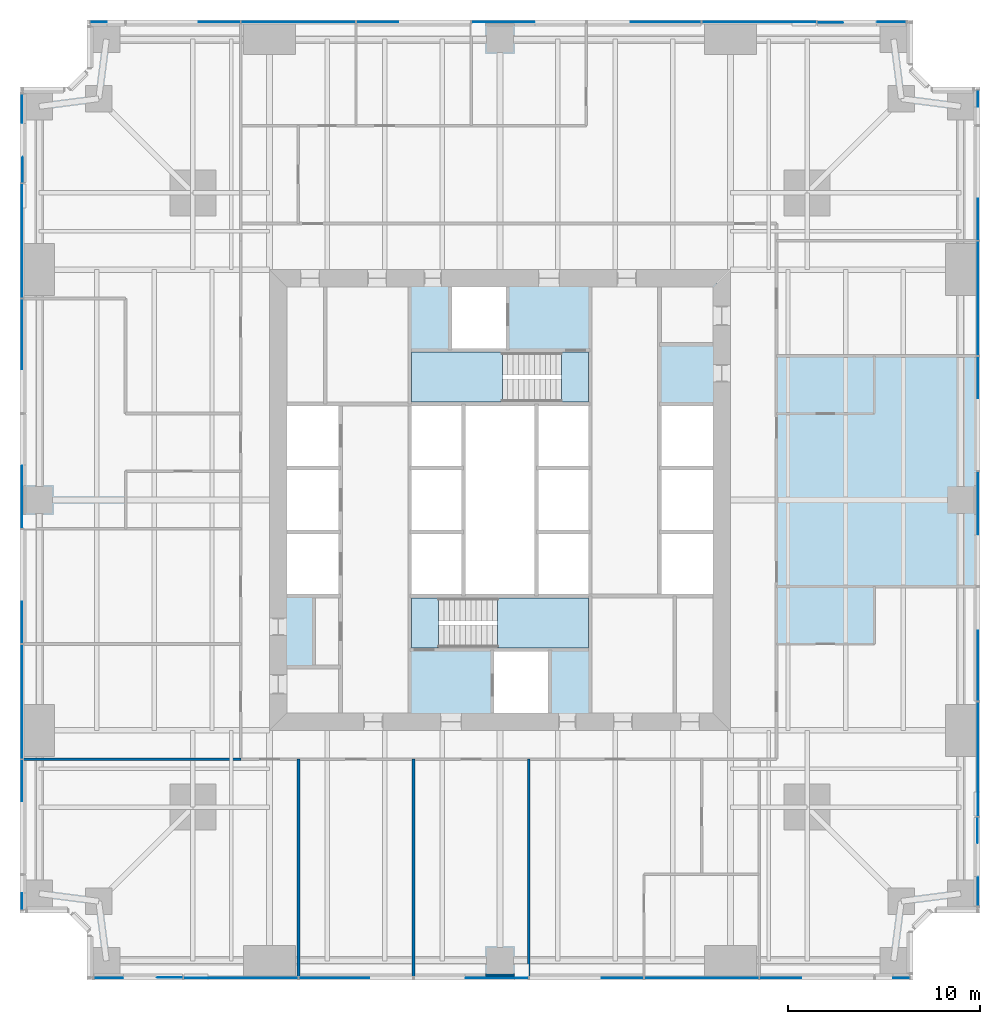
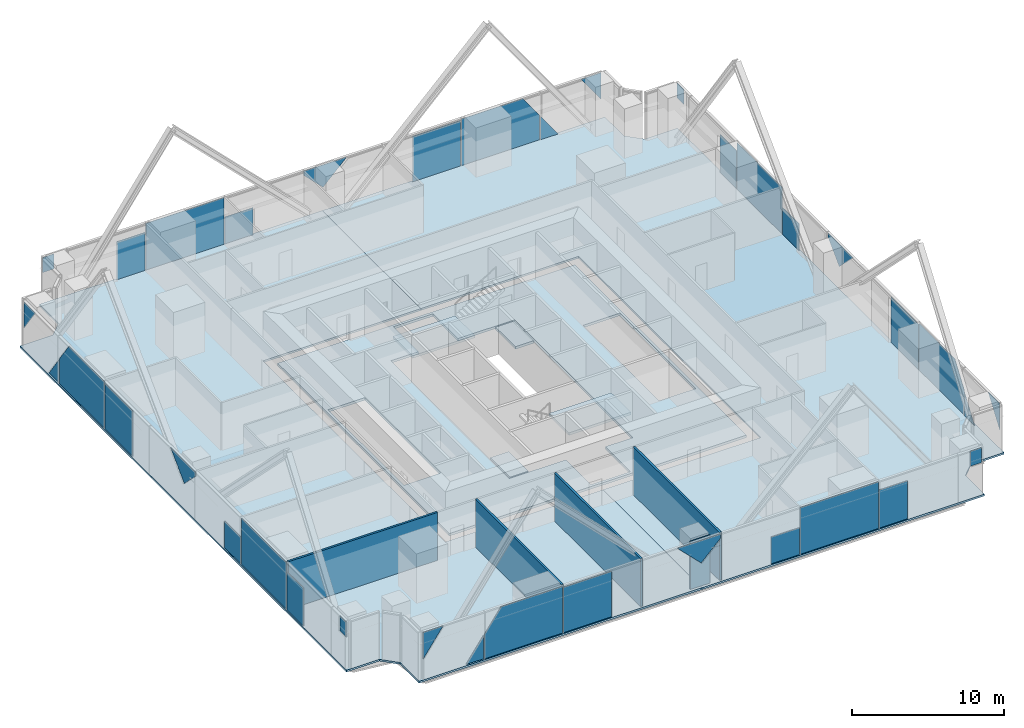
# One storey, part 8 of 13: 36 plates, 7 slabs, 5 walls, 6 elements without a shape of their own.
"""IFC4 building model written with IfcOpenShell, lengths in metres."""

from ifc_helpers import new_model, si_unit, direction, frame, frame_2d, origin, origin_2d, place, context, subcontext, project, spatial, polyline, rectangle, outline, extrude, material, layer, layer_set, type_object, element, aggregate, save


model = new_model("IFC4")

# Units and contexts
model_context = context("Model", 3, precision=1e-05, world=origin(), true_north=direction((0.0, 1.0)))
body_context = subcontext(model_context, "Body", "Model", "MODEL_VIEW")
ifc_project = project(units=[si_unit("LENGTHUNIT", "METRE"), si_unit("AREAUNIT", "SQUARE_METRE"), si_unit("VOLUMEUNIT", "CUBIC_METRE"), si_unit("PLANEANGLEUNIT", "RADIAN"), si_unit("MASSUNIT", "GRAM", prefix="KILO")], contexts=[model_context])

# Site, building, storey
site_placement = place(None, origin())
site = spatial("IfcSite", under=ifc_project, at=site_placement, CompositionType="ELEMENT")
building_placement = place(site_placement, origin())
building = spatial("IfcBuilding", under=site, at=building_placement, Name="Fenwick Lantern Interchange", CompositionType="ELEMENT")
storey_placement = place(building_placement, frame((0.0, 0.0, 67.0)))
storey = spatial("IfcBuildingStorey", under=building, at=storey_placement, Name="L15", CompositionType="ELEMENT", Elevation=67.0)

# Slabs
ifc_material_1 = material(Name="Concrete f'c 35 MPa", Category="concrete")
ifc_layer_1 = layer(ifc_material_1, 0.199951171875)
ifc_layer_set_1 = layer_set([ifc_layer_1], Name="CORE FLOOR SLAB 200")
slab_type_1 = type_object("IfcSlabType", Name="CORE FLOOR SLAB 200", PredefinedType="FLOOR", material=ifc_layer_set_1)
slab_1_placement = place(storey_placement, frame((0.0, 0.0, -0.199951171875)))
element("IfcSlab", 1, at=slab_1_placement, inside=storey, type_object=slab_type_1, Name="L15/SLAB/CORE", PredefinedType="FLOOR", context=body_context, shape_type="SweptSolid", body=[
    extrude(outline(polyline([(13.699951171875, 36.300048828125), (36.300048828125, 36.300048828125), (36.300048828125, 13.699951171875), (13.699951171875, 13.699951171875), (13.699951171875, 36.300048828125)]), holes=[polyline([(13.89990234375, 20.0), (16.699951171875, 20.0), (16.699951171875, 23.333251953125), (16.699951171875, 26.666748046875), (16.699951171875, 30.0), (13.89990234375, 30.0), (13.89990234375, 26.666748046875), (13.89990234375, 23.333251953125), (13.89990234375, 20.0)]), polyline([(20.300048828125, 20.0), (20.300048828125, 17.199951171875), (24.60009765625, 17.199951171875), (24.60009765625, 13.89990234375), (27.60009765625, 13.89990234375), (27.60009765625, 17.199951171875), (29.699951171875, 17.199951171875), (29.699951171875, 20.0), (29.699951171875, 23.333251953125), (29.699951171875, 26.666748046875), (29.699951171875, 30.0), (29.699951171875, 32.800048828125), (25.39990234375, 32.800048828125), (25.39990234375, 36.10009765625), (22.39990234375, 36.10009765625), (22.39990234375, 32.800048828125), (20.300048828125, 32.800048828125), (20.300048828125, 30.0), (20.300048828125, 26.666748046875), (20.300048828125, 23.333251953125), (20.300048828125, 20.0)]), polyline([(33.300048828125, 23.333251953125), (33.300048828125, 20.0), (36.10009765625, 20.0), (36.10009765625, 23.333251953125), (36.10009765625, 26.666748046875), (36.10009765625, 30.0), (33.300048828125, 30.0), (33.300048828125, 26.666748046875), (33.300048828125, 23.333251953125)])]), origin(), (0.0, 0.0, 1.0), 0.199951171875),
])
ifc_material_2 = material(Name="Concrete f'c 35 MPa", Category="concrete")
ifc_layer_2 = layer(ifc_material_2, 0.14990234375)
ifc_layer_set_2 = layer_set([ifc_layer_2], Name="Concrete f'c 35 MPa")
slab_type_2 = type_object("IfcSlabType", Name="FLOOR SLAB 150", PredefinedType="FLOOR", material=ifc_layer_set_2)
slab_2_placement = place(storey_placement, frame((0.0, 0.0, -0.14990234375)))
element("IfcSlab", 2, at=slab_2_placement, inside=storey, type_object=slab_type_2, Name="L15/SLAB/FW", PredefinedType="FLOOR", context=body_context, shape_type="SweptSolid", body=[
    extrude(outline(polyline([(3.5, 0.0), (3.5, 2.5), (2.5, 3.5), (0.0, 3.5), (0.0, 46.5), (2.5, 46.5), (3.5, 47.5), (3.5, 50.0), (25.0, 50.0), (25.0, 37.0), (13.0, 37.0), (13.0, 13.0), (25.0, 13.0), (25.0, 0.0), (3.5, 0.0)])), origin(), (0.0, 0.0, 1.0), 0.14990234375),
])
slab_3_placement = place(storey_placement, frame((0.0, 0.0, -0.14990234375)))
element("IfcSlab", 3, at=slab_3_placement, inside=storey, type_object=slab_type_2, Name="L15/SLAB/FE", PredefinedType="FLOOR", context=body_context, shape_type="SweptSolid", body=[
    extrude(outline(polyline([(46.5, 50.0), (46.5, 47.5), (47.5, 46.5), (50.0, 46.5), (50.0, 3.5), (47.5, 3.5), (46.5, 2.5), (46.5, 0.0), (25.0, 0.0), (25.0, 13.0), (37.0, 13.0), (37.0, 37.0), (25.0, 37.0), (25.0, 50.0), (46.5, 50.0)])), origin(), (0.0, 0.0, 1.0), 0.14990234375),
])

# Curtain wall, plates
ifc_material_3 = material(Name="Aluminium curtain wall frame", Category="aluminium")
curtain_wall_type = type_object("IfcCurtainWallType", Name="OFFICE CURTAIN WALL", PredefinedType="USERDEFINED", material=ifc_material_3)
curtain_wall_1_placement = place(storey_placement, origin())
curtain_wall_1 = element("IfcCurtainWall", 4, at=curtain_wall_1_placement, inside=storey, type_object=curtain_wall_type, Name="Office curtain wall 01", ObjectType="OFFICE CURTAIN WALL", PredefinedType="USERDEFINED")
ifc_material_4 = material(Name="Vision glass, clear low-iron double glazed", Category="glass")
ifc_layer_3 = layer(ifc_material_4, 0.031982421875)
ifc_layer_set_3 = layer_set([ifc_layer_3], Name="OFFICE CURTAIN WALL PANEL 32")
plate_type = type_object("IfcPlateType", Name="OFFICE CURTAIN WALL PANEL 32", PredefinedType="CURTAIN_PANEL", material=ifc_layer_set_3)
plate_1_placement = place(storey_placement, frame((3.60009765625, 0.10009765625, 1.611572265625), z_axis=(0.0, 0.0, 1.0), x_axis=(1.0, 0.0, 0.0)))
plate_1 = element("IfcPlate", 5, at=plate_1_placement, type_object=plate_type, Name="L15/CW/01/P00a", PredefinedType="CURTAIN_PANEL", context=body_context, shape_type="SweptSolid", body=[
    extrude(outline(polyline([(0.264892578125, 0.0), (1.77978515625, 2.138427734375), (0.264892578125, 2.138427734375), (0.264892578125, 0.0)])), frame((0.0, 0.01611328125, 0.0), z_axis=(0.0, -1.0, 0.0), x_axis=(1.0, 0.0, 0.0)), (0.0, 0.0, 1.0), 0.031982421875),
])
plate_2_placement = place(storey_placement, frame((3.60009765625, 0.10009765625, 0.0), z_axis=(0.0, 0.0, 1.0), x_axis=(1.0, 0.0, 0.0)))
plate_2 = element("IfcPlate", 6, at=plate_2_placement, type_object=plate_type, Name="L15/CW/01/P00b", PredefinedType="CURTAIN_PANEL", context=body_context, shape_type="SweptSolid", body=[
    extrude(outline(polyline([(3.53515625, 0.0), (4.867431640625, 0.0), (4.867431640625, 1.881103515625), (3.53515625, 0.0)])), frame((0.0, 0.0498046875, 0.0), z_axis=(0.0, -1.0, 0.0), x_axis=(1.0, 0.0, 0.0)), (0.0, 0.0, 1.0), 0.031982421875),
])
plate_3_placement = place(storey_placement, frame((3.60009765625, 0.10009765625, 0.0), z_axis=(0.0, 0.0, 1.0), x_axis=(1.0, 0.0, 0.0)))
plate_3 = element("IfcPlate", 7, at=plate_3_placement, type_object=plate_type, Name="L15/CW/01/P01a", PredefinedType="CURTAIN_PANEL", context=body_context, shape_type="SweptSolid", body=[
    extrude(outline(polyline([(4.9326171875, 0.0), (10.867431640625, 0.0), (10.867431640625, 3.75), (6.19140625, 3.75), (4.9326171875, 1.972900390625), (4.9326171875, 0.0)])), frame((0.0, 0.01611328125, 0.0), z_axis=(0.0, -1.0, 0.0), x_axis=(1.0, 0.0, 0.0)), (0.0, 0.0, 1.0), 0.031982421875),
])
plate_4_placement = place(storey_placement, frame((3.60009765625, 0.10009765625, 0.0), z_axis=(0.0, 0.0, 1.0), x_axis=(1.0, 0.0, 0.0)))
plate_4 = element("IfcPlate", 8, at=plate_4_placement, type_object=plate_type, Name="L15/CW/01/P02a", PredefinedType="CURTAIN_PANEL", context=body_context, shape_type="SweptSolid", body=[
    extrude(outline(polyline([(10.9326171875, 0.0), (14.592529296875, 0.0), (14.592529296875, 3.656005859375), (10.9326171875, 3.656005859375), (10.9326171875, 0.0)])), frame((0.0, 0.01611328125, 0.0), z_axis=(0.0, -1.0, 0.0), x_axis=(1.0, 0.0, 0.0)), (0.0, 0.0, 1.0), 0.031982421875),
])
plate_5_placement = place(storey_placement, frame((3.60009765625, 0.10009765625, 1.939697265625), z_axis=(0.0, 0.0, 1.0), x_axis=(1.0, 0.0, 0.0)))
plate_5 = element("IfcPlate", 9, at=plate_5_placement, type_object=plate_type, Name="L15/CW/01/P03a", PredefinedType="CURTAIN_PANEL", context=body_context, shape_type="SweptSolid", body=[
    extrude(outline(polyline([(21.39990234375, 0.0), (22.867431640625, 1.46728515625), (22.867431640625, 1.810302734375), (19.589599609375, 1.810302734375), (21.39990234375, 0.0)])), frame((0.0, 0.01611328125, 0.0), z_axis=(0.0, -1.0, 0.0), x_axis=(1.0, 0.0, 0.0)), (0.0, 0.0, 1.0), 0.031982421875),
])
plate_6_placement = place(storey_placement, frame((3.60009765625, 0.10009765625, 0.0), z_axis=(0.0, 0.0, 1.0), x_axis=(1.0, 0.0, 0.0)))
plate_6 = element("IfcPlate", 10, at=plate_6_placement, type_object=plate_type, Name="L15/CW/01/P04a", PredefinedType="CURTAIN_PANEL", context=body_context, shape_type="SweptSolid", body=[
    extrude(outline(polyline([(26.711669921875, 0.0), (28.867431640625, 0.0), (28.867431640625, 2.159912109375), (26.711669921875, 2.159912109375), (26.711669921875, 0.0)])), frame((0.0, 0.01611328125, 0.0), z_axis=(0.0, -1.0, 0.0), x_axis=(1.0, 0.0, 0.0)), (0.0, 0.0, 1.0), 0.031982421875),
])
plate_7_placement = place(storey_placement, frame((35.5, 0.10009765625, 0.0), z_axis=(0.0, 0.0, 1.0), x_axis=(1.0, 0.0, 0.0)))
plate_7 = element("IfcPlate", 11, at=plate_7_placement, type_object=plate_type, Name="L15/CW/01/P05", PredefinedType="CURTAIN_PANEL", context=body_context, shape_type="SweptSolid", body=[
    extrude(rectangle(XDim=5.93505859375, YDim=0.031982421875, at=origin_2d()), origin(), (0.0, 0.0, 1.0), 3.75),
])
plate_8_placement = place(storey_placement, frame((3.60009765625, 0.10009765625, 0.0), z_axis=(0.0, 0.0, 1.0), x_axis=(1.0, 0.0, 0.0)))
plate_8 = element("IfcPlate", 12, at=plate_8_placement, type_object=plate_type, Name="L15/CW/01/P06a", PredefinedType="CURTAIN_PANEL", context=body_context, shape_type="SweptSolid", body=[
    extrude(outline(polyline([(34.9326171875, 0.0), (37.097412109375, 0.0), (37.097412109375, 3.059814453125), (34.9326171875, 3.059814453125), (34.9326171875, 0.0)])), frame((0.0, 0.01611328125, 0.0), z_axis=(0.0, -1.0, 0.0), x_axis=(1.0, 0.0, 0.0)), (0.0, 0.0, 1.0), 0.031982421875),
])
plate_9_placement = place(storey_placement, frame((3.60009765625, 0.10009765625, 2.54296875), z_axis=(0.0, 0.0, 1.0), x_axis=(1.0, 0.0, 0.0)))
plate_9 = element("IfcPlate", 13, at=plate_9_placement, type_object=plate_type, Name="L15/CW/01/P07a", PredefinedType="CURTAIN_PANEL", context=body_context, shape_type="SweptSolid", body=[
    extrude(outline(polyline([(41.875244140625, 0.0), (42.735107421875, 0.0), (42.735107421875, 1.20703125), (41.875244140625, 1.20703125), (41.875244140625, 0.0)])), frame((0.0, 0.01611328125, 0.0), z_axis=(0.0, -1.0, 0.0), x_axis=(1.0, 0.0, 0.0)), (0.0, 0.0, 1.0), 0.031982421875),
])
aggregate(curtain_wall_1, [plate_1, plate_2, plate_3, plate_4, plate_5, plate_6, plate_7, plate_8, plate_9])

curtain_wall_2_placement = place(storey_placement, origin())
curtain_wall_2 = element("IfcCurtainWall", 14, at=curtain_wall_2_placement, inside=storey, type_object=curtain_wall_type, Name="Office curtain wall 05", ObjectType="OFFICE CURTAIN WALL", PredefinedType="USERDEFINED")
plate_10_placement = place(storey_placement, frame((49.89990234375, 3.60009765625, 1.611572265625), z_axis=(0.0, 0.0, 1.0), x_axis=(0.0, 1.0, 0.0)))
plate_10 = element("IfcPlate", 15, at=plate_10_placement, type_object=plate_type, Name="L15/CW/05/P00a", PredefinedType="CURTAIN_PANEL", context=body_context, shape_type="SweptSolid", body=[
    extrude(outline(polyline([(0.264892578125, 0.0), (1.77978515625, 2.138427734375), (0.264892578125, 2.138427734375), (0.264892578125, 0.0)])), frame((0.0, 0.01611328125, 0.0), z_axis=(0.0, -1.0, 0.0), x_axis=(1.0, 0.0, 0.0)), (0.0, 0.0, 1.0), 0.031982421875),
])
plate_11_placement = place(storey_placement, frame((49.89990234375, 3.60009765625, 0.0), z_axis=(0.0, 0.0, 1.0), x_axis=(0.0, 1.0, 0.0)))
plate_11 = element("IfcPlate", 16, at=plate_11_placement, type_object=plate_type, Name="L15/CW/05/P00b", PredefinedType="CURTAIN_PANEL", context=body_context, shape_type="SweptSolid", body=[
    extrude(outline(polyline([(3.53515625, 0.0), (4.867431640625, 0.0), (4.867431640625, 1.881103515625), (3.53515625, 0.0)])), frame((0.0, 0.0498046875, 0.0), z_axis=(0.0, -1.0, 0.0), x_axis=(1.0, 0.0, 0.0)), (0.0, 0.0, 1.0), 0.031982421875),
])
plate_12_placement = place(storey_placement, frame((49.89990234375, 3.60009765625, 0.0), z_axis=(0.0, 0.0, 1.0), x_axis=(0.0, 1.0, 0.0)))
plate_12 = element("IfcPlate", 17, at=plate_12_placement, type_object=plate_type, Name="L15/CW/05/P01a", PredefinedType="CURTAIN_PANEL", context=body_context, shape_type="SweptSolid", body=[
    extrude(outline(polyline([(4.9326171875, 0.0), (10.867431640625, 0.0), (10.867431640625, 3.75), (6.19140625, 3.75), (4.9326171875, 1.972900390625), (4.9326171875, 0.0)])), frame((0.0, 0.01611328125, 0.0), z_axis=(0.0, -1.0, 0.0), x_axis=(1.0, 0.0, 0.0)), (0.0, 0.0, 1.0), 0.031982421875),
])
plate_13_placement = place(storey_placement, frame((49.89990234375, 3.60009765625, 0.0), z_axis=(0.0, 0.0, 1.0), x_axis=(0.0, 1.0, 0.0)))
plate_13 = element("IfcPlate", 18, at=plate_13_placement, type_object=plate_type, Name="L15/CW/05/P02a", PredefinedType="CURTAIN_PANEL", context=body_context, shape_type="SweptSolid", body=[
    extrude(outline(polyline([(10.9326171875, 0.0), (14.592529296875, 0.0), (14.592529296875, 3.656005859375), (10.9326171875, 3.656005859375), (10.9326171875, 0.0)])), frame((0.0, 0.01611328125, 0.0), z_axis=(0.0, -1.0, 0.0), x_axis=(1.0, 0.0, 0.0)), (0.0, 0.0, 1.0), 0.031982421875),
])
plate_14_placement = place(storey_placement, frame((49.89990234375, 3.60009765625, 1.939697265625), z_axis=(0.0, 0.0, 1.0), x_axis=(0.0, 1.0, 0.0)))
plate_14 = element("IfcPlate", 19, at=plate_14_placement, type_object=plate_type, Name="L15/CW/05/P03a", PredefinedType="CURTAIN_PANEL", context=body_context, shape_type="SweptSolid", body=[
    extrude(outline(polyline([(21.39990234375, 0.0), (22.867431640625, 1.46728515625), (22.867431640625, 1.810302734375), (19.589599609375, 1.810302734375), (21.39990234375, 0.0)])), frame((0.0, 0.01611328125, 0.0), z_axis=(0.0, -1.0, 0.0), x_axis=(1.0, 0.0, 0.0)), (0.0, 0.0, 1.0), 0.031982421875),
])
plate_15_placement = place(storey_placement, frame((49.89990234375, 3.60009765625, 0.0), z_axis=(0.0, 0.0, 1.0), x_axis=(0.0, 1.0, 0.0)))
plate_15 = element("IfcPlate", 20, at=plate_15_placement, type_object=plate_type, Name="L15/CW/05/P04a", PredefinedType="CURTAIN_PANEL", context=body_context, shape_type="SweptSolid", body=[
    extrude(outline(polyline([(26.711669921875, 0.0), (28.867431640625, 0.0), (28.867431640625, 2.159912109375), (26.711669921875, 2.159912109375), (26.711669921875, 0.0)])), frame((0.0, 0.01611328125, 0.0), z_axis=(0.0, -1.0, 0.0), x_axis=(1.0, 0.0, 0.0)), (0.0, 0.0, 1.0), 0.031982421875),
])
plate_16_placement = place(storey_placement, frame((49.89990234375, 35.5, 0.0), z_axis=(0.0, 0.0, 1.0), x_axis=(0.0, 1.0, 0.0)))
plate_16 = element("IfcPlate", 21, at=plate_16_placement, type_object=plate_type, Name="L15/CW/05/P05", PredefinedType="CURTAIN_PANEL", context=body_context, shape_type="SweptSolid", body=[
    extrude(rectangle(XDim=5.93505859375, YDim=0.031982421875, at=origin_2d()), origin(), (0.0, 0.0, 1.0), 3.75),
])
plate_17_placement = place(storey_placement, frame((49.89990234375, 3.60009765625, 0.0), z_axis=(0.0, 0.0, 1.0), x_axis=(0.0, 1.0, 0.0)))
plate_17 = element("IfcPlate", 22, at=plate_17_placement, type_object=plate_type, Name="L15/CW/05/P06a", PredefinedType="CURTAIN_PANEL", context=body_context, shape_type="SweptSolid", body=[
    extrude(outline(polyline([(34.9326171875, 0.0), (37.097412109375, 0.0), (37.097412109375, 3.059814453125), (34.9326171875, 3.059814453125), (34.9326171875, 0.0)])), frame((0.0, 0.01611328125, 0.0), z_axis=(0.0, -1.0, 0.0), x_axis=(1.0, 0.0, 0.0)), (0.0, 0.0, 1.0), 0.031982421875),
])
plate_18_placement = place(storey_placement, frame((49.89990234375, 3.60009765625, 2.54296875), z_axis=(0.0, 0.0, 1.0), x_axis=(0.0, 1.0, 0.0)))
plate_18 = element("IfcPlate", 23, at=plate_18_placement, type_object=plate_type, Name="L15/CW/05/P07a", PredefinedType="CURTAIN_PANEL", context=body_context, shape_type="SweptSolid", body=[
    extrude(outline(polyline([(41.875244140625, 0.0), (42.735107421875, 0.0), (42.735107421875, 1.20703125), (41.875244140625, 1.20703125), (41.875244140625, 0.0)])), frame((0.0, 0.01611328125, 0.0), z_axis=(0.0, -1.0, 0.0), x_axis=(1.0, 0.0, 0.0)), (0.0, 0.0, 1.0), 0.031982421875),
])
aggregate(curtain_wall_2, [plate_10, plate_11, plate_12, plate_13, plate_14, plate_15, plate_16, plate_17, plate_18])

curtain_wall_3_placement = place(storey_placement, origin())
curtain_wall_3 = element("IfcCurtainWall", 24, at=curtain_wall_3_placement, inside=storey, type_object=curtain_wall_type, Name="Office curtain wall 09", ObjectType="OFFICE CURTAIN WALL", PredefinedType="USERDEFINED")
plate_19_placement = place(storey_placement, frame((46.39990234375, 49.89990234375, 1.611572265625), z_axis=(0.0, 0.0, 1.0), x_axis=(-1.0, 0.0, 0.0)))
plate_19 = element("IfcPlate", 25, at=plate_19_placement, type_object=plate_type, Name="L15/CW/09/P00a", PredefinedType="CURTAIN_PANEL", context=body_context, shape_type="SweptSolid", body=[
    extrude(outline(polyline([(0.264892578125, 0.0), (1.77978515625, 2.138427734375), (0.264892578125, 2.138427734375), (0.264892578125, 0.0)])), frame((0.0, 0.01611328125, 0.0), z_axis=(0.0, -1.0, 0.0), x_axis=(1.0, 0.0, 0.0)), (0.0, 0.0, 1.0), 0.031982421875),
])
plate_20_placement = place(storey_placement, frame((46.39990234375, 49.89990234375, 0.0), z_axis=(0.0, 0.0, 1.0), x_axis=(-1.0, 0.0, 0.0)))
plate_20 = element("IfcPlate", 26, at=plate_20_placement, type_object=plate_type, Name="L15/CW/09/P00b", PredefinedType="CURTAIN_PANEL", context=body_context, shape_type="SweptSolid", body=[
    extrude(outline(polyline([(3.53515625, 0.0), (4.867431640625, 0.0), (4.867431640625, 1.881103515625), (3.53515625, 0.0)])), frame((0.0, 0.0498046875, 0.0), z_axis=(0.0, -1.0, 0.0), x_axis=(1.0, 0.0, 0.0)), (0.0, 0.0, 1.0), 0.031982421875),
])
plate_21_placement = place(storey_placement, frame((46.39990234375, 49.89990234375, 0.0), z_axis=(0.0, 0.0, 1.0), x_axis=(-1.0, 0.0, 0.0)))
plate_21 = element("IfcPlate", 27, at=plate_21_placement, type_object=plate_type, Name="L15/CW/09/P01a", PredefinedType="CURTAIN_PANEL", context=body_context, shape_type="SweptSolid", body=[
    extrude(outline(polyline([(4.9326171875, 0.0), (10.867431640625, 0.0), (10.867431640625, 3.75), (6.19140625, 3.75), (4.9326171875, 1.972900390625), (4.9326171875, 0.0)])), frame((0.0, 0.01611328125, 0.0), z_axis=(0.0, -1.0, 0.0), x_axis=(1.0, 0.0, 0.0)), (0.0, 0.0, 1.0), 0.031982421875),
])
plate_22_placement = place(storey_placement, frame((46.39990234375, 49.89990234375, 0.0), z_axis=(0.0, 0.0, 1.0), x_axis=(-1.0, 0.0, 0.0)))
plate_22 = element("IfcPlate", 28, at=plate_22_placement, type_object=plate_type, Name="L15/CW/09/P02a", PredefinedType="CURTAIN_PANEL", context=body_context, shape_type="SweptSolid", body=[
    extrude(outline(polyline([(10.9326171875, 0.0), (14.592529296875, 0.0), (14.592529296875, 3.656005859375), (10.9326171875, 3.656005859375), (10.9326171875, 0.0)])), frame((0.0, 0.01611328125, 0.0), z_axis=(0.0, -1.0, 0.0), x_axis=(1.0, 0.0, 0.0)), (0.0, 0.0, 1.0), 0.031982421875),
])
plate_23_placement = place(storey_placement, frame((46.39990234375, 49.89990234375, 1.939697265625), z_axis=(0.0, 0.0, 1.0), x_axis=(-1.0, 0.0, 0.0)))
plate_23 = element("IfcPlate", 29, at=plate_23_placement, type_object=plate_type, Name="L15/CW/09/P03a", PredefinedType="CURTAIN_PANEL", context=body_context, shape_type="SweptSolid", body=[
    extrude(outline(polyline([(21.39990234375, 0.0), (22.867431640625, 1.46728515625), (22.867431640625, 1.810302734375), (19.589599609375, 1.810302734375), (21.39990234375, 0.0)])), frame((0.0, 0.01611328125, 0.0), z_axis=(0.0, -1.0, 0.0), x_axis=(1.0, 0.0, 0.0)), (0.0, 0.0, 1.0), 0.031982421875),
])
plate_24_placement = place(storey_placement, frame((46.39990234375, 49.89990234375, 0.0), z_axis=(0.0, 0.0, 1.0), x_axis=(-1.0, 0.0, 0.0)))
plate_24 = element("IfcPlate", 30, at=plate_24_placement, type_object=plate_type, Name="L15/CW/09/P04a", PredefinedType="CURTAIN_PANEL", context=body_context, shape_type="SweptSolid", body=[
    extrude(outline(polyline([(26.711669921875, 0.0), (28.867431640625, 0.0), (28.867431640625, 2.159912109375), (26.711669921875, 2.159912109375), (26.711669921875, 0.0)])), frame((0.0, 0.01611328125, 0.0), z_axis=(0.0, -1.0, 0.0), x_axis=(1.0, 0.0, 0.0)), (0.0, 0.0, 1.0), 0.031982421875),
])
plate_25_placement = place(storey_placement, frame((14.5, 49.89990234375, 0.0), z_axis=(0.0, 0.0, 1.0), x_axis=(-1.0, 0.0, 0.0)))
plate_25 = element("IfcPlate", 31, at=plate_25_placement, type_object=plate_type, Name="L15/CW/09/P05", PredefinedType="CURTAIN_PANEL", context=body_context, shape_type="SweptSolid", body=[
    extrude(rectangle(XDim=5.93505859375, YDim=0.031982421875, at=origin_2d()), origin(), (0.0, 0.0, 1.0), 3.75),
])
plate_26_placement = place(storey_placement, frame((46.39990234375, 49.89990234375, 0.0), z_axis=(0.0, 0.0, 1.0), x_axis=(-1.0, 0.0, 0.0)))
plate_26 = element("IfcPlate", 32, at=plate_26_placement, type_object=plate_type, Name="L15/CW/09/P06a", PredefinedType="CURTAIN_PANEL", context=body_context, shape_type="SweptSolid", body=[
    extrude(outline(polyline([(34.9326171875, 0.0), (37.097412109375, 0.0), (37.097412109375, 3.059814453125), (34.9326171875, 3.059814453125), (34.9326171875, 0.0)])), frame((0.0, 0.01611328125, 0.0), z_axis=(0.0, -1.0, 0.0), x_axis=(1.0, 0.0, 0.0)), (0.0, 0.0, 1.0), 0.031982421875),
])
plate_27_placement = place(storey_placement, frame((46.39990234375, 49.89990234375, 2.54296875), z_axis=(0.0, 0.0, 1.0), x_axis=(-1.0, 0.0, 0.0)))
plate_27 = element("IfcPlate", 33, at=plate_27_placement, type_object=plate_type, Name="L15/CW/09/P07a", PredefinedType="CURTAIN_PANEL", context=body_context, shape_type="SweptSolid", body=[
    extrude(outline(polyline([(41.875244140625, 0.0), (42.735107421875, 0.0), (42.735107421875, 1.20703125), (41.875244140625, 1.20703125), (41.875244140625, 0.0)])), frame((0.0, 0.01611328125, 0.0), z_axis=(0.0, -1.0, 0.0), x_axis=(1.0, 0.0, 0.0)), (0.0, 0.0, 1.0), 0.031982421875),
])
aggregate(curtain_wall_3, [plate_19, plate_20, plate_21, plate_22, plate_23, plate_24, plate_25, plate_26, plate_27])

curtain_wall_4_placement = place(storey_placement, origin())
curtain_wall_4 = element("IfcCurtainWall", 34, at=curtain_wall_4_placement, inside=storey, type_object=curtain_wall_type, Name="Office curtain wall 13", ObjectType="OFFICE CURTAIN WALL", PredefinedType="USERDEFINED")
plate_28_placement = place(storey_placement, frame((0.10009765625, 46.39990234375, 1.611572265625), z_axis=(0.0, 0.0, 1.0), x_axis=(0.0, -1.0, 0.0)))
plate_28 = element("IfcPlate", 35, at=plate_28_placement, type_object=plate_type, Name="L15/CW/13/P00a", PredefinedType="CURTAIN_PANEL", context=body_context, shape_type="SweptSolid", body=[
    extrude(outline(polyline([(0.264892578125, 0.0), (1.77978515625, 2.138427734375), (0.264892578125, 2.138427734375), (0.264892578125, 0.0)])), frame((0.0, 0.01611328125, 0.0), z_axis=(0.0, -1.0, 0.0), x_axis=(1.0, 0.0, 0.0)), (0.0, 0.0, 1.0), 0.031982421875),
])
plate_29_placement = place(storey_placement, frame((0.10009765625, 46.39990234375, 0.0), z_axis=(0.0, 0.0, 1.0), x_axis=(0.0, -1.0, 0.0)))
plate_29 = element("IfcPlate", 36, at=plate_29_placement, type_object=plate_type, Name="L15/CW/13/P00b", PredefinedType="CURTAIN_PANEL", context=body_context, shape_type="SweptSolid", body=[
    extrude(outline(polyline([(3.53515625, 0.0), (4.867431640625, 0.0), (4.867431640625, 1.881103515625), (3.53515625, 0.0)])), frame((0.0, 0.0498046875, 0.0), z_axis=(0.0, -1.0, 0.0), x_axis=(1.0, 0.0, 0.0)), (0.0, 0.0, 1.0), 0.031982421875),
])
plate_30_placement = place(storey_placement, frame((0.10009765625, 46.39990234375, 0.0), z_axis=(0.0, 0.0, 1.0), x_axis=(0.0, -1.0, 0.0)))
plate_30 = element("IfcPlate", 37, at=plate_30_placement, type_object=plate_type, Name="L15/CW/13/P01a", PredefinedType="CURTAIN_PANEL", context=body_context, shape_type="SweptSolid", body=[
    extrude(outline(polyline([(4.9326171875, 0.0), (10.867431640625, 0.0), (10.867431640625, 3.75), (6.19140625, 3.75), (4.9326171875, 1.972900390625), (4.9326171875, 0.0)])), frame((0.0, 0.01611328125, 0.0), z_axis=(0.0, -1.0, 0.0), x_axis=(1.0, 0.0, 0.0)), (0.0, 0.0, 1.0), 0.031982421875),
])
plate_31_placement = place(storey_placement, frame((0.10009765625, 46.39990234375, 0.0), z_axis=(0.0, 0.0, 1.0), x_axis=(0.0, -1.0, 0.0)))
plate_31 = element("IfcPlate", 38, at=plate_31_placement, type_object=plate_type, Name="L15/CW/13/P02a", PredefinedType="CURTAIN_PANEL", context=body_context, shape_type="SweptSolid", body=[
    extrude(outline(polyline([(10.9326171875, 0.0), (14.592529296875, 0.0), (14.592529296875, 3.656005859375), (10.9326171875, 3.656005859375), (10.9326171875, 0.0)])), frame((0.0, 0.01611328125, 0.0), z_axis=(0.0, -1.0, 0.0), x_axis=(1.0, 0.0, 0.0)), (0.0, 0.0, 1.0), 0.031982421875),
])
plate_32_placement = place(storey_placement, frame((0.10009765625, 46.39990234375, 1.939697265625), z_axis=(0.0, 0.0, 1.0), x_axis=(0.0, -1.0, 0.0)))
plate_32 = element("IfcPlate", 39, at=plate_32_placement, type_object=plate_type, Name="L15/CW/13/P03a", PredefinedType="CURTAIN_PANEL", context=body_context, shape_type="SweptSolid", body=[
    extrude(outline(polyline([(21.39990234375, 0.0), (22.867431640625, 1.46728515625), (22.867431640625, 1.810302734375), (19.589599609375, 1.810302734375), (21.39990234375, 0.0)])), frame((0.0, 0.01611328125, 0.0), z_axis=(0.0, -1.0, 0.0), x_axis=(1.0, 0.0, 0.0)), (0.0, 0.0, 1.0), 0.031982421875),
])
plate_33_placement = place(storey_placement, frame((0.10009765625, 46.39990234375, 0.0), z_axis=(0.0, 0.0, 1.0), x_axis=(0.0, -1.0, 0.0)))
plate_33 = element("IfcPlate", 40, at=plate_33_placement, type_object=plate_type, Name="L15/CW/13/P04a", PredefinedType="CURTAIN_PANEL", context=body_context, shape_type="SweptSolid", body=[
    extrude(outline(polyline([(26.711669921875, 0.0), (28.867431640625, 0.0), (28.867431640625, 2.159912109375), (26.711669921875, 2.159912109375), (26.711669921875, 0.0)])), frame((0.0, 0.01611328125, 0.0), z_axis=(0.0, -1.0, 0.0), x_axis=(1.0, 0.0, 0.0)), (0.0, 0.0, 1.0), 0.031982421875),
])
plate_34_placement = place(storey_placement, frame((0.10009765625, 14.5, 0.0), z_axis=(0.0, 0.0, 1.0), x_axis=(0.0, -1.0, 0.0)))
plate_34 = element("IfcPlate", 41, at=plate_34_placement, type_object=plate_type, Name="L15/CW/13/P05", PredefinedType="CURTAIN_PANEL", context=body_context, shape_type="SweptSolid", body=[
    extrude(rectangle(XDim=5.93505859375, YDim=0.031982421875, at=origin_2d()), origin(), (0.0, 0.0, 1.0), 3.75),
])
plate_35_placement = place(storey_placement, frame((0.10009765625, 46.39990234375, 0.0), z_axis=(0.0, 0.0, 1.0), x_axis=(0.0, -1.0, 0.0)))
plate_35 = element("IfcPlate", 42, at=plate_35_placement, type_object=plate_type, Name="L15/CW/13/P06a", PredefinedType="CURTAIN_PANEL", context=body_context, shape_type="SweptSolid", body=[
    extrude(outline(polyline([(34.9326171875, 0.0), (37.097412109375, 0.0), (37.097412109375, 3.059814453125), (34.9326171875, 3.059814453125), (34.9326171875, 0.0)])), frame((0.0, 0.01611328125, 0.0), z_axis=(0.0, -1.0, 0.0), x_axis=(1.0, 0.0, 0.0)), (0.0, 0.0, 1.0), 0.031982421875),
])
plate_36_placement = place(storey_placement, frame((0.10009765625, 46.39990234375, 2.54296875), z_axis=(0.0, 0.0, 1.0), x_axis=(0.0, -1.0, 0.0)))
plate_36 = element("IfcPlate", 43, at=plate_36_placement, type_object=plate_type, Name="L15/CW/13/P07a", PredefinedType="CURTAIN_PANEL", context=body_context, shape_type="SweptSolid", body=[
    extrude(outline(polyline([(41.875244140625, 0.0), (42.735107421875, 0.0), (42.735107421875, 1.20703125), (41.875244140625, 1.20703125), (41.875244140625, 0.0)])), frame((0.0, 0.01611328125, 0.0), z_axis=(0.0, -1.0, 0.0), x_axis=(1.0, 0.0, 0.0)), (0.0, 0.0, 1.0), 0.031982421875),
])
aggregate(curtain_wall_4, [plate_28, plate_29, plate_30, plate_31, plate_32, plate_33, plate_34, plate_35, plate_36])

# Stair, slabs
ifc_material_5 = material(Name="Precast concrete f'c 35 MPa", Category="concrete")
stair_type = type_object("IfcStairType", Name="EXIT STAIR 1200", PredefinedType="HALF_TURN_STAIR", material=ifc_material_5)
stair_1_placement = place(storey_placement, origin())
stair_1 = element("IfcStair", 44, at=stair_1_placement, inside=storey, type_object=stair_type, Name="Exit stair ST1", PredefinedType="HALF_TURN_STAIR")
ifc_layer_4 = layer(ifc_material_1, 0.199951171875)
ifc_layer_set_4 = layer_set([ifc_layer_4], Name="STAIR LANDING 200")
slab_type_3 = type_object("IfcSlabType", Name="STAIR LANDING 200", PredefinedType="LANDING", material=ifc_layer_set_4)
slab_4_placement = place(storey_placement, frame((0.0, 0.0, 1.800048828125)))
slab_4 = element("IfcSlab", 45, at=slab_4_placement, type_object=slab_type_3, Name="ST1 landing 1", PredefinedType="LANDING", context=body_context, shape_type="SweptSolid", body=[
    extrude(outline(polyline([(24.8798828125, 17.300048828125), (29.60009765625, 17.300048828125), (29.60009765625, 19.89990234375), (24.8798828125, 19.89990234375), (24.8798828125, 17.300048828125)])), origin(), (0.0, 0.0, 1.0), 0.199951171875),
])
slab_5_placement = place(storey_placement, frame((0.0, 0.0, -0.199951171875)))
slab_5 = element("IfcSlab", 46, at=slab_5_placement, type_object=slab_type_3, Name="ST1 landing 2", PredefinedType="LANDING", context=body_context, shape_type="SweptSolid", body=[
    extrude(outline(polyline([(20.39990234375, 17.300048828125), (21.800048828125, 17.300048828125), (21.800048828125, 19.89990234375), (20.39990234375, 19.89990234375), (20.39990234375, 17.300048828125)])), origin(), (0.0, 0.0, 1.0), 0.199951171875),
])
aggregate(stair_1, [slab_4, slab_5])

stair_2_placement = place(storey_placement, origin())
stair_2 = element("IfcStair", 47, at=stair_2_placement, inside=storey, type_object=stair_type, Name="Exit stair ST2", PredefinedType="HALF_TURN_STAIR")
slab_6_placement = place(storey_placement, frame((0.0, 0.0, 1.800048828125)))
slab_6 = element("IfcSlab", 48, at=slab_6_placement, type_object=slab_type_3, Name="ST2 landing 1", PredefinedType="LANDING", context=body_context, shape_type="SweptSolid", body=[
    extrude(outline(polyline([(25.1201171875, 32.699951171875), (20.39990234375, 32.699951171875), (20.39990234375, 30.10009765625), (25.1201171875, 30.10009765625), (25.1201171875, 32.699951171875)])), origin(), (0.0, 0.0, 1.0), 0.199951171875),
])
slab_7_placement = place(storey_placement, frame((0.0, 0.0, -0.199951171875)))
slab_7 = element("IfcSlab", 49, at=slab_7_placement, type_object=slab_type_3, Name="ST2 landing 2", PredefinedType="LANDING", context=body_context, shape_type="SweptSolid", body=[
    extrude(outline(polyline([(29.60009765625, 32.699951171875), (28.199951171875, 32.699951171875), (28.199951171875, 30.10009765625), (29.60009765625, 30.10009765625), (29.60009765625, 32.699951171875)])), origin(), (0.0, 0.0, 1.0), 0.199951171875),
])
aggregate(stair_2, [slab_6, slab_7])

# Walls
ifc_material_6 = material(Name="Fire-rated gypsum board encasement on steel studs, 2 hour", Category="steel")
ifc_layer_5 = layer(ifc_material_6, 1.5)
ifc_layer_set_5 = layer_set([ifc_layer_5], Name="COLUMN PIER 1500")
wall_type_1 = type_object("IfcWallType", Name="COLUMN PIER 1500", PredefinedType="PARTITIONING", material=ifc_layer_set_5)
wall_placement = place(storey_placement, frame((25.0, 0.199951171875, 0.0), z_axis=(0.0, 0.0, 1.0), x_axis=(0.0, 1.0, 0.0)))
element("IfcWall", 50, at=wall_placement, inside=storey, type_object=wall_type_1, Name="L15/W/PIER/CS3", PredefinedType="PARTITIONING", context=body_context, shape_type="SweptSolid", body=[
    extrude(rectangle(XDim=0.10009765625, YDim=1.5, at=frame_2d((0.050048828125, 0.0))), origin(), (0.0, 0.0, 1.0), 3.85009765625),
])
ifc_material_7 = material(Name="Gypsum board on steel studs, 1 hour acoustic", Category="steel")
ifc_layer_6 = layer(ifc_material_7, 0.14990234375)
ifc_layer_set_6 = layer_set([ifc_layer_6], Name="TENANT WALL 150")
wall_type_2 = type_object("IfcWallType", Name="TENANT WALL 150", PredefinedType="PARTITIONING", material=ifc_layer_set_6)
for number, where, z_axis, x_axis, name in (
    (51, (0.14990234375, 11.5, 0.0), (0.0, 0.0, 1.0), (1.0, 0.0, 0.0), "L15/W/OFF/S/BACK"),
    (52, (14.5, 0.14990234375, 0.0), (0.0, 0.0, 1.0), (0.0, 1.0, 0.0), "L15/W/OFF/S/X145-1"),
    (53, (20.5, 0.14990234375, 0.0), (0.0, 0.0, 1.0), (0.0, 1.0, 0.0), "L15/W/OFF/S/X205-1"),
    (54, (26.5, 0.14990234375, 0.0), (0.0, 0.0, 1.0), (0.0, 1.0, 0.0), "L15/W/OFF/S/X265-1"),
):
    element("IfcWall", number, at=place(storey_placement, frame(where, z_axis=z_axis, x_axis=x_axis)), inside=storey, type_object=wall_type_2, Name=name, PredefinedType="PARTITIONING", context=body_context, shape_type="SweptSolid", body=[
        extrude(rectangle(XDim=11.35009765625, YDim=0.14990234375, at=frame_2d((5.675048828125, 0.0))), origin(), (0.0, 0.0, 1.0), 3.85009765625),
    ])

save(model, "model.ifc")
